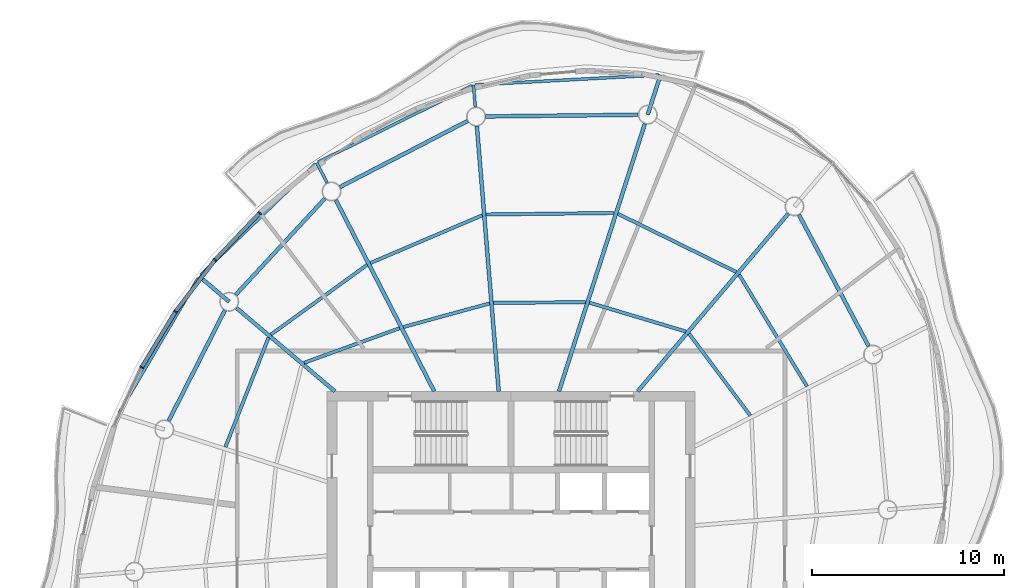
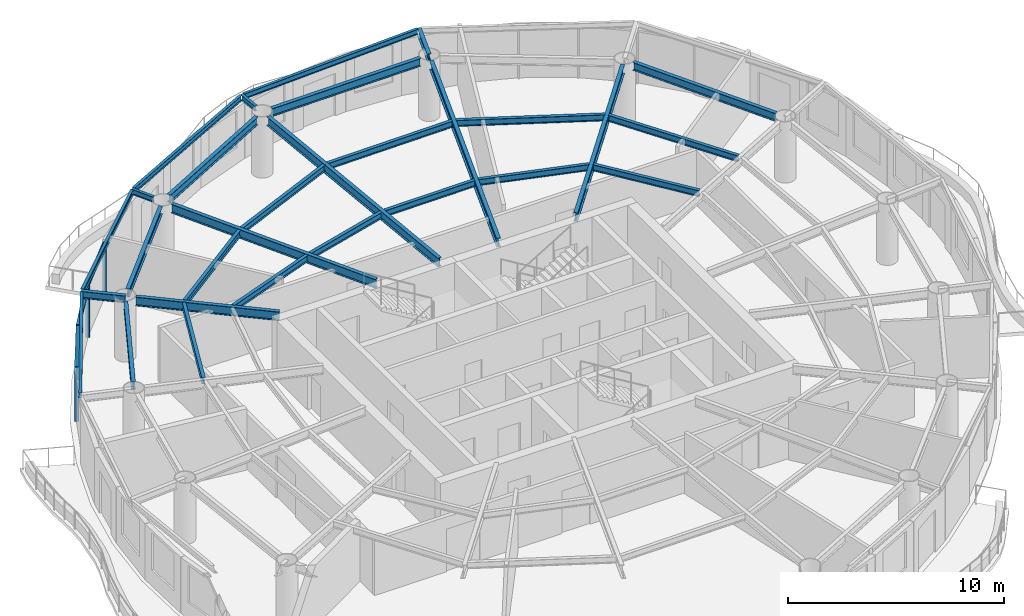
# One storey, part 5 of 14: 29 beams, 7 members, 4 elements without a shape of their own.
"""IFC4 building model written with IfcOpenShell, lengths in metres."""

from ifc_helpers import new_model, si_unit, direction, frame, origin, origin_2d, place, context, subcontext, project, spatial, rectangle, i_section, extrude, material, material_profile, profile_set, type_object, element, aggregate, save


model = new_model("IFC4")

# Units and contexts
model_context = context("Model", 3, precision=1e-05, world=origin(), true_north=direction((0.0, 1.0)))
body_context = subcontext(model_context, "Body", "Model", "MODEL_VIEW")
ifc_project = project(units=[si_unit("LENGTHUNIT", "METRE"), si_unit("AREAUNIT", "SQUARE_METRE"), si_unit("VOLUMEUNIT", "CUBIC_METRE"), si_unit("PLANEANGLEUNIT", "RADIAN"), si_unit("MASSUNIT", "GRAM", prefix="KILO")], contexts=[model_context])

# Site, building, storey
site_placement = place(None, origin())
site = spatial("IfcSite", under=ifc_project, at=site_placement, CompositionType="ELEMENT")
building_placement = place(site_placement, origin())
building = spatial("IfcBuilding", under=site, at=building_placement, Name="Vermilion Reach Broadcast Tower", CompositionType="ELEMENT")
storey_placement = place(building_placement, frame((0.0, 0.0, 257.699951171875)))
storey = spatial("IfcBuildingStorey", under=building, at=storey_placement, Name="L63", CompositionType="ELEMENT", Elevation=257.699951171875)

# Beams
ifc_material_1 = material(Name="Steel S355J2", Category="steel")
ifc_material_profile_1 = material_profile(ifc_material_1, i_section(OverallWidth=0.14990234375, OverallDepth=0.300048828125, WebThickness=0.006591796875, FlangeThickness=0.009033203125, at=origin_2d()), Name="S355J2 HN 300x150x6.5x9")
ifc_profile_set_1 = profile_set([ifc_material_profile_1], Name="Steel S355J2")
beam_type_1 = type_object("IfcBeamType", Name="EB5 HN 300x150x6.5x9", PredefinedType="BEAM", material=ifc_profile_set_1)
beam_1_placement = place(storey_placement, frame((1.69775390625, 24.317138671875, 3.300048828125), z_axis=(-0.998568059474, -0.053496080221, 0.0), x_axis=(0.053496080221, -0.998568059474, 0.0)))
element("IfcBeam", 1, at=beam_1_placement, inside=storey, type_object=beam_type_1, Name="Edge beam EB5-01", PredefinedType="BEAM", context=body_context, shape_type="SweptSolid", body=[
    extrude(i_section(OverallWidth=0.14990234375, OverallDepth=0.300048828125, WebThickness=0.006591796875, FlangeThickness=0.009033203125, at=origin_2d()), origin(), (0.0, 0.0, 1.0), 9.597412109375),
])
beam_2_placement = place(storey_placement, frame((-8.033203125, 23.763671875, 3.300048828125), z_axis=(-0.895619747805, -0.444820488896, 0.0), x_axis=(0.444820488896, -0.895619747805, 0.0)))
element("IfcBeam", 2, at=beam_2_placement, inside=storey, type_object=beam_type_1, Name="Edge beam EB5-02", PredefinedType="BEAM", context=body_context, shape_type="SweptSolid", body=[
    extrude(i_section(OverallWidth=0.14990234375, OverallDepth=0.300048828125, WebThickness=0.006591796875, FlangeThickness=0.009033203125, at=origin_2d()), origin(), (0.0, 0.0, 1.0), 8.983642578125),
])
beam_3_placement = place(storey_placement, frame((-16.20263671875, 19.6796875, 3.300048828125), z_axis=(-0.718957709496, -0.695053819468, 0.0), x_axis=(0.695053819468, -0.718957709496, 0.0)))
element("IfcBeam", 3, at=beam_3_placement, inside=storey, type_object=beam_type_1, Name="Edge beam EB5-03", PredefinedType="BEAM", context=body_context, shape_type="SweptSolid", body=[
    extrude(i_section(OverallWidth=0.14990234375, OverallDepth=0.300048828125, WebThickness=0.006591796875, FlangeThickness=0.009033203125, at=origin_2d()), origin(), (0.0, 0.0, 1.0), 8.3544921875),
])
beam_4_placement = place(storey_placement, frame((-22.3330078125, 13.71533203125, 3.300048828125), z_axis=(-0.505994149247, -0.862536909893, 0.0), x_axis=(0.862536909893, -0.505994149247, 0.0)))
element("IfcBeam", 4, at=beam_4_placement, inside=storey, type_object=beam_type_1, Name="Edge beam EB5-04", PredefinedType="BEAM", context=body_context, shape_type="SweptSolid", body=[
    extrude(i_section(OverallWidth=0.14990234375, OverallDepth=0.300048828125, WebThickness=0.006591796875, FlangeThickness=0.009033203125, at=origin_2d()), origin(), (0.0, 0.0, 1.0), 8.166259765625),
])
ifc_material_2 = material(Name="Steel S355J2", Category="steel")
ifc_material_profile_2 = material_profile(ifc_material_2, i_section(OverallWidth=0.199951171875, OverallDepth=0.5, WebThickness=0.010009765625, FlangeThickness=0.01611328125, at=origin_2d()), Name="S355J2 HN 500x200x10x16")
ifc_profile_set_2 = profile_set([ifc_material_profile_2], Name="Steel S355J2")
beam_type_2 = type_object("IfcBeamType", Name="G5 HN 500x200x10x16", PredefinedType="BEAM", material=ifc_profile_set_2)
beam_5_placement = place(storey_placement, frame((-3.497314453125, 7.800048828125, 3.199951171875), z_axis=(0.305545401295, 0.952177508528, 0.0), x_axis=(-0.952177508528, 0.305545401295, 0.0)))
element("IfcBeam", 5, at=beam_5_placement, inside=storey, type_object=beam_type_2, Name="Girder G5-01", PredefinedType="BEAM", context=body_context, shape_type="SweptSolid", body=[
    extrude(i_section(OverallWidth=0.199951171875, OverallDepth=0.5, WebThickness=0.010009765625, FlangeThickness=0.01611328125, at=origin_2d()), origin(), (0.0, 0.0, 1.0), 14.672607421875),
])
beam_6_placement = place(storey_placement, frame((-6.642578125, 7.800048828125, 3.199951171875), z_axis=(-0.082123744247, 0.996622140347, 0.0), x_axis=(-0.996622140347, -0.082123744247, 0.0)))
element("IfcBeam", 6, at=beam_6_placement, inside=storey, type_object=beam_type_2, Name="Girder G5-02", PredefinedType="BEAM", context=body_context, shape_type="SweptSolid", body=[
    extrude(i_section(OverallWidth=0.199951171875, OverallDepth=0.5, WebThickness=0.010009765625, FlangeThickness=0.01611328125, at=origin_2d()), origin(), (0.0, 0.0, 1.0), 13.89794921875),
])
beam_7_placement = place(storey_placement, frame((-10.010498046875, 7.800048828125, 3.199951171875), z_axis=(-0.457258168112, 0.889334002327, 0.0), x_axis=(-0.889334002327, -0.457258168112, 0.0)))
element("IfcBeam", 7, at=beam_7_placement, inside=storey, type_object=beam_type_2, Name="Girder G5-03", PredefinedType="BEAM", context=body_context, shape_type="SweptSolid", body=[
    extrude(i_section(OverallWidth=0.199951171875, OverallDepth=0.5, WebThickness=0.010009765625, FlangeThickness=0.01611328125, at=origin_2d()), origin(), (0.0, 0.0, 1.0), 11.236328125),
])
beam_8_placement = place(storey_placement, frame((-15.20068359375, 7.800048828125, 3.199951171875), z_axis=(-0.762793125612, 0.646642596431, 0.0), x_axis=(-0.646642596431, -0.762793125612, 0.0)))
element("IfcBeam", 8, at=beam_8_placement, inside=storey, type_object=beam_type_2, Name="Girder G5-04", PredefinedType="BEAM", context=body_context, shape_type="SweptSolid", body=[
    extrude(i_section(OverallWidth=0.199951171875, OverallDepth=0.5, WebThickness=0.010009765625, FlangeThickness=0.01611328125, at=origin_2d()), origin(), (0.0, 0.0, 1.0), 6.732421875),
])
beam_9_placement = place(storey_placement, frame((0.612548828125, 7.800048828125, 3.199951171875), z_axis=(0.646658335602, 0.762779782766, 0.0), x_axis=(-0.762779782766, 0.646658335602, 0.0)))
element("IfcBeam", 9, at=beam_9_placement, inside=storey, type_object=beam_type_2, Name="Girder G5-16", PredefinedType="BEAM", context=body_context, shape_type="SweptSolid", body=[
    extrude(i_section(OverallWidth=0.199951171875, OverallDepth=0.5, WebThickness=0.010009765625, FlangeThickness=0.01611328125, at=origin_2d()), origin(), (0.0, 0.0, 1.0), 12.16064453125),
])
ifc_material_3 = material(Name="Steel S355J2", Category="steel")
ifc_material_profile_3 = material_profile(ifc_material_3, i_section(OverallWidth=0.199951171875, OverallDepth=0.39990234375, WebThickness=0.008056640625, FlangeThickness=0.012939453125, at=origin_2d()), Name="S355J2 HN 400x200x8x13")
ifc_profile_set_3 = profile_set([ifc_material_profile_3], Name="Steel S355J2")
beam_type_3 = type_object("IfcBeamType", Name="GC5 HN 400x200x8x13", PredefinedType="BEAM", material=ifc_profile_set_3)
beam_10_placement = place(storey_placement, frame((1.138427734375, 22.2470703125, 3.25), z_axis=(0.305523352592, 0.952184583482, 0.0), x_axis=(-0.952184583482, 0.305523352592, 0.0)))
element("IfcBeam", 10, at=beam_10_placement, inside=storey, type_object=beam_type_3, Name="Cantilever girder GC5-01", PredefinedType="BEAM", context=body_context, shape_type="SweptSolid", body=[
    extrude(i_section(OverallWidth=0.199951171875, OverallDepth=0.39990234375, WebThickness=0.008056640625, FlangeThickness=0.012939453125, at=origin_2d()), origin(), (0.0, 0.0, 1.0), 2.179931640625),
])
beam_11_placement = place(storey_placement, frame((-20.717529296875, 12.476806640625, 3.25), z_axis=(-0.762708446266, 0.6467424727, 0.0), x_axis=(-0.6467424727, -0.762708446266, 0.0)))
element("IfcBeam", 11, at=beam_11_placement, inside=storey, type_object=beam_type_3, Name="Cantilever girder GC5-04", PredefinedType="BEAM", context=body_context, shape_type="SweptSolid", body=[
    extrude(i_section(OverallWidth=0.199951171875, OverallDepth=0.39990234375, WebThickness=0.008056640625, FlangeThickness=0.012939453125, at=origin_2d()), origin(), (0.0, 0.0, 1.0), 2.050537109375),
])
ifc_material_4 = material(Name="Steel S355J2", Category="steel")
ifc_material_profile_4 = material_profile(ifc_material_4, i_section(OverallWidth=0.14990234375, OverallDepth=0.300048828125, WebThickness=0.006591796875, FlangeThickness=0.009033203125, at=origin_2d()), Name="S355J2 HN 300x150x6.5x9")
ifc_profile_set_4 = profile_set([ifc_material_profile_4], Name="Steel S355J2")
beam_type_4 = type_object("IfcBeamType", Name="GS5 HN 300x150x6.5x9", PredefinedType="BEAM", material=ifc_profile_set_4)
beam_12_placement = place(storey_placement, frame((-7.865966796875, 22.647705078125, 3.300048828125), z_axis=(-0.082171361974, 0.996618215402, 0.0), x_axis=(-0.996618215402, -0.082171361974, 0.0)))
element("IfcBeam", 12, at=beam_12_placement, inside=storey, type_object=beam_type_4, Name="Cantilever stub GS5-02", PredefinedType="BEAM", context=body_context, shape_type="SweptSolid", body=[
    extrude(i_section(OverallWidth=0.14990234375, OverallDepth=0.300048828125, WebThickness=0.006591796875, FlangeThickness=0.009033203125, at=origin_2d()), origin(), (0.0, 0.0, 1.0), 1.15576171875),
])
beam_13_placement = place(storey_placement, frame((-15.60546875, 18.682373046875, 3.300048828125), z_axis=(-0.457259384763, 0.889333376775, 0.0), x_axis=(-0.889333376775, -0.457259384763, 0.0)))
element("IfcBeam", 13, at=beam_13_placement, inside=storey, type_object=beam_type_4, Name="Cantilever stub GS5-03", PredefinedType="BEAM", context=body_context, shape_type="SweptSolid", body=[
    extrude(i_section(OverallWidth=0.14990234375, OverallDepth=0.300048828125, WebThickness=0.006591796875, FlangeThickness=0.009033203125, at=origin_2d()), origin(), (0.0, 0.0, 1.0), 1.1826171875),
])
ifc_material_5 = material(Name="Steel S355J2", Category="steel")
ifc_material_profile_5 = material_profile(ifc_material_5, i_section(OverallWidth=0.199951171875, OverallDepth=0.449951171875, WebThickness=0.009033203125, FlangeThickness=0.013916015625, at=origin_2d()), Name="S355J2 HN 450x200x9x14")
ifc_profile_set_5 = profile_set([ifc_material_profile_5], Name="Steel S355J2")
beam_type_5 = type_object("IfcBeamType", Name="RB5 HN 450x200x9x14", PredefinedType="BEAM", material=ifc_profile_set_5)
beam_14_placement = place(storey_placement, frame((0.638427734375, 22.24169921875, 3.22509765625), z_axis=(-0.999940445231, -0.010913569149, 0.0), x_axis=(0.010913569149, -0.999940445231, 0.0)))
element("IfcBeam", 14, at=beam_14_placement, inside=storey, type_object=beam_type_5, Name="Ring beam RB5-01", PredefinedType="BEAM", context=body_context, shape_type="SweptSolid", body=[
    extrude(i_section(OverallWidth=0.199951171875, OverallDepth=0.449951171875, WebThickness=0.009033203125, FlangeThickness=0.013916015625, at=origin_2d()), origin(), (0.0, 0.0, 1.0), 7.9638671875),
])
beam_15_placement = place(storey_placement, frame((-8.268798828125, 21.91943359375, 3.22509765625), z_axis=(-0.887960248279, -0.459920207729, 0.0), x_axis=(0.459920207729, -0.887960248279, 0.0)))
element("IfcBeam", 15, at=beam_15_placement, inside=storey, type_object=beam_type_5, Name="Ring beam RB5-02", PredefinedType="BEAM", context=body_context, shape_type="SweptSolid", body=[
    extrude(i_section(OverallWidth=0.199951171875, OverallDepth=0.449951171875, WebThickness=0.009033203125, FlangeThickness=0.013916015625, at=origin_2d()), origin(), (0.0, 0.0, 1.0), 7.5048828125),
])
beam_16_placement = place(storey_placement, frame((-15.716796875, 17.87109375, 3.22509765625), z_axis=(-0.679837550075, -0.733362738014, 0.0), x_axis=(0.733362738014, -0.679837550075, 0.0)))
element("IfcBeam", 16, at=beam_16_placement, inside=storey, type_object=beam_type_5, Name="Ring beam RB5-03", PredefinedType="BEAM", context=body_context, shape_type="SweptSolid", body=[
    extrude(i_section(OverallWidth=0.199951171875, OverallDepth=0.449951171875, WebThickness=0.009033203125, FlangeThickness=0.013916015625, at=origin_2d()), origin(), (0.0, 0.0, 1.0), 6.85546875),
])
beam_17_placement = place(storey_placement, frame((-20.944091796875, 12.03125, 3.22509765625), z_axis=(-0.453052302855, -0.891483937532, 0.0), x_axis=(0.891483937532, -0.453052302855, 0.0)))
element("IfcBeam", 17, at=beam_17_placement, inside=storey, type_object=beam_type_5, Name="Ring beam RB5-04", PredefinedType="BEAM", context=body_context, shape_type="SweptSolid", body=[
    extrude(i_section(OverallWidth=0.199951171875, OverallDepth=0.449951171875, WebThickness=0.009033203125, FlangeThickness=0.013916015625, at=origin_2d()), origin(), (0.0, 0.0, 1.0), 6.47900390625),
])
beam_18_placement = place(storey_placement, frame((12.671142578125, 10.161865234375, 3.22509765625), z_axis=(-0.468767917375, 0.883321368269, 0.0), x_axis=(-0.883321368269, -0.468767917375, 0.0)))
element("IfcBeam", 18, at=beam_18_placement, inside=storey, type_object=beam_type_5, Name="Ring beam RB5-15", PredefinedType="BEAM", context=body_context, shape_type="SweptSolid", body=[
    extrude(i_section(OverallWidth=0.199951171875, OverallDepth=0.449951171875, WebThickness=0.009033203125, FlangeThickness=0.013916015625, at=origin_2d()), origin(), (0.0, 0.0, 1.0), 7.759033203125),
])
ifc_material_6 = material(Name="Steel S355J2", Category="steel")
ifc_material_profile_6 = material_profile(ifc_material_6, i_section(OverallWidth=0.175048828125, OverallDepth=0.35009765625, WebThickness=0.007080078125, FlangeThickness=0.010986328125, at=origin_2d()), Name="S355J2 HN 350x175x7x11")
ifc_profile_set_6 = profile_set([ifc_material_profile_6], Name="Steel S355J2")
beam_type_6 = type_object("IfcBeamType", Name="SB5 HN 350x175x7x11", PredefinedType="BEAM", material=ifc_profile_set_6)
beam_19_placement = place(storey_placement, frame((-2.108154296875, 12.4560546875, 3.275146484375), z_axis=(-0.999968312294, -0.007960804474, 0.0), x_axis=(0.007960804474, -0.999968312294, 0.0)))
element("IfcBeam", 19, at=beam_19_placement, inside=storey, type_object=beam_type_6, Name="Secondary beam SB5-01-1", PredefinedType="BEAM", context=body_context, shape_type="SweptSolid", body=[
    extrude(i_section(OverallWidth=0.175048828125, OverallDepth=0.35009765625, WebThickness=0.007080078125, FlangeThickness=0.010986328125, at=origin_2d()), origin(), (0.0, 0.0, 1.0), 4.81494140625),
])
beam_20_placement = place(storey_placement, frame((-0.614013671875, 17.11279296875, 3.275146484375), z_axis=(-0.999932654133, -0.011605481368, 0.0), x_axis=(0.011605481368, -0.999932654133, 0.0)))
element("IfcBeam", 20, at=beam_20_placement, inside=storey, type_object=beam_type_6, Name="Secondary beam SB5-01-2", PredefinedType="BEAM", context=body_context, shape_type="SweptSolid", body=[
    extrude(i_section(OverallWidth=0.175048828125, OverallDepth=0.35009765625, WebThickness=0.007080078125, FlangeThickness=0.010986328125, at=origin_2d()), origin(), (0.0, 0.0, 1.0), 6.689697265625),
])
beam_21_placement = place(storey_placement, frame((-7.12109375, 12.39013671875, 3.275146484375), z_axis=(-0.964547496851, -0.263909314573, 0.0), x_axis=(0.263909314573, -0.964547496851, 0.0)))
element("IfcBeam", 21, at=beam_21_placement, inside=storey, type_object=beam_type_6, Name="Secondary beam SB5-02-1", PredefinedType="BEAM", context=body_context, shape_type="SweptSolid", body=[
    extrude(i_section(OverallWidth=0.175048828125, OverallDepth=0.35009765625, WebThickness=0.007080078125, FlangeThickness=0.010986328125, at=origin_2d()), origin(), (0.0, 0.0, 1.0), 4.6689453125),
])
beam_22_placement = place(storey_placement, frame((-7.50048828125, 16.99267578125, 3.275146484375), z_axis=(-0.919880986172, -0.392197617637, 0.0), x_axis=(0.392197617637, -0.919880986172, 0.0)))
element("IfcBeam", 22, at=beam_22_placement, inside=storey, type_object=beam_type_6, Name="Secondary beam SB5-02-2", PredefinedType="BEAM", context=body_context, shape_type="SweptSolid", body=[
    extrude(i_section(OverallWidth=0.175048828125, OverallDepth=0.35009765625, WebThickness=0.007080078125, FlangeThickness=0.010986328125, at=origin_2d()), origin(), (0.0, 0.0, 1.0), 6.351806640625),
])
beam_23_placement = place(storey_placement, frame((-11.81787109375, 11.0966796875, 3.275146484375), z_axis=(-0.940220108875, -0.340567389613, 0.0), x_axis=(0.340567389613, -0.940220108875, 0.0)))
element("IfcBeam", 23, at=beam_23_placement, inside=storey, type_object=beam_type_6, Name="Secondary beam SB5-03-1", PredefinedType="BEAM", context=body_context, shape_type="SweptSolid", body=[
    extrude(i_section(OverallWidth=0.175048828125, OverallDepth=0.35009765625, WebThickness=0.007080078125, FlangeThickness=0.010986328125, at=origin_2d()), origin(), (0.0, 0.0, 1.0), 5.303466796875),
])
beam_24_placement = place(storey_placement, frame((-13.517578125, 14.402587890625, 3.275146484375), z_axis=(-0.809771251518, -0.586745703192, 0.0), x_axis=(0.586745703192, -0.809771251518, 0.0)))
element("IfcBeam", 24, at=beam_24_placement, inside=storey, type_object=beam_type_6, Name="Secondary beam SB5-03-2", PredefinedType="BEAM", context=body_context, shape_type="SweptSolid", body=[
    extrude(i_section(OverallWidth=0.175048828125, OverallDepth=0.35009765625, WebThickness=0.007080078125, FlangeThickness=0.010986328125, at=origin_2d()), origin(), (0.0, 0.0, 1.0), 6.20361328125),
])
beam_25_placement = place(storey_placement, frame((-18.6630859375, 10.604248046875, 3.275146484375), z_axis=(-0.366931189603, -0.930248086317, 0.0), x_axis=(0.930248086317, -0.366931189603, 0.0)))
element("IfcBeam", 25, at=beam_25_placement, inside=storey, type_object=beam_type_6, Name="Secondary beam SB5-04-2", PredefinedType="BEAM", context=body_context, shape_type="SweptSolid", body=[
    extrude(i_section(OverallWidth=0.175048828125, OverallDepth=0.35009765625, WebThickness=0.007080078125, FlangeThickness=0.010986328125, at=origin_2d()), origin(), (0.0, 0.0, 1.0), 6.141357421875),
])
beam_26_placement = place(storey_placement, frame((6.492919921875, 6.53564453125, 3.275146484375), z_axis=(-0.599055582645, 0.800707442767, 0.0), x_axis=(-0.800707442767, -0.599055582645, 0.0)))
element("IfcBeam", 26, at=beam_26_placement, inside=storey, type_object=beam_type_6, Name="Secondary beam SB5-15-1", PredefinedType="BEAM", context=body_context, shape_type="SweptSolid", body=[
    extrude(i_section(OverallWidth=0.175048828125, OverallDepth=0.35009765625, WebThickness=0.007080078125, FlangeThickness=0.010986328125, at=origin_2d()), origin(), (0.0, 0.0, 1.0), 5.337890625),
])
beam_27_placement = place(storey_placement, frame((9.455078125, 8.058837890625, 3.275146484375), z_axis=(-0.519272962556, 0.854608442714, 0.0), x_axis=(-0.854608442714, -0.519272962556, 0.0)))
element("IfcBeam", 27, at=beam_27_placement, inside=storey, type_object=beam_type_6, Name="Secondary beam SB5-15-2", PredefinedType="BEAM", context=body_context, shape_type="SweptSolid", body=[
    extrude(i_section(OverallWidth=0.175048828125, OverallDepth=0.35009765625, WebThickness=0.007080078125, FlangeThickness=0.010986328125, at=origin_2d()), origin(), (0.0, 0.0, 1.0), 6.82763671875),
])
beam_28_placement = place(storey_placement, frame((3.129150390625, 10.92333984375, 3.275146484375), z_axis=(-0.958124906971, 0.286350593925, 0.0), x_axis=(-0.286350593925, -0.958124906971, 0.0)))
element("IfcBeam", 28, at=beam_28_placement, inside=storey, type_object=beam_type_6, Name="Secondary beam SB5-16-1", PredefinedType="BEAM", context=body_context, shape_type="SweptSolid", body=[
    extrude(i_section(OverallWidth=0.175048828125, OverallDepth=0.35009765625, WebThickness=0.007080078125, FlangeThickness=0.010986328125, at=origin_2d()), origin(), (0.0, 0.0, 1.0), 5.25634765625),
])
beam_29_placement = place(storey_placement, frame((5.762451171875, 14.029541015625, 3.275146484375), z_axis=(-0.897335928087, 0.441348198325, 0.0), x_axis=(-0.441348198325, -0.897335928087, 0.0)))
element("IfcBeam", 29, at=beam_29_placement, inside=storey, type_object=beam_type_6, Name="Secondary beam SB5-16-2", PredefinedType="BEAM", context=body_context, shape_type="SweptSolid", body=[
    extrude(i_section(OverallWidth=0.175048828125, OverallDepth=0.35009765625, WebThickness=0.007080078125, FlangeThickness=0.010986328125, at=origin_2d()), origin(), (0.0, 0.0, 1.0), 6.887451171875),
])

# Curtain wall, member
ifc_material_7 = material(Name="Low-e laminated clear glass in aluminium frame", Category="aluminium")
curtain_wall_type = type_object("IfcCurtainWallType", Name="Slot curtain wall", PredefinedType="NOTDEFINED", material=ifc_material_7)
placement = place(storey_placement, origin())
curtain_wall_1 = element("IfcCurtainWall", 30, at=placement, inside=storey, type_object=curtain_wall_type, Name="Slot curtain wall L63 10", PredefinedType="NOTDEFINED")
ifc_material_8 = material(Name="Anodised aluminium", Category="aluminium")
ifc_material_profile_7 = material_profile(ifc_material_8, rectangle(XDim=0.199951171875, YDim=0.080078125, at=origin_2d()), Name="Slot mullion 80 x 200")
ifc_profile_set_7 = profile_set([ifc_material_profile_7], Name="Anodised aluminium")
member_type_1 = type_object("IfcMemberType", Name="Slot mullion 80 x 200", PredefinedType="MULLION", material=ifc_profile_set_7)
member_1_placement = place(storey_placement, frame((-19.1279296875, 17.11279296875, 0.0), z_axis=(0.0, 0.0, 1.0), x_axis=(0.68555171084, -0.728023936258, 0.0)))
member_1 = element("IfcMember", 31, at=member_1_placement, type_object=member_type_1, Name="Slot mullion L63 10", PredefinedType="MULLION", context=body_context, shape_type="SweptSolid", body=[
    extrude(rectangle(XDim=0.199951171875, YDim=0.080078125, at=origin_2d()), origin(), (0.0, 0.0, 1.0), 3.050048828125),
])

curtain_wall_2 = element("IfcCurtainWall", 32, at=placement, inside=storey, type_object=curtain_wall_type, Name="Slot curtain wall L63 11", PredefinedType="NOTDEFINED")
member_2_placement = place(storey_placement, frame((-21.458251953125, 14.66357421875, 0.0), z_axis=(0.0, 0.0, 1.0), x_axis=(0.760565490297, -0.649261222444, 0.0)))
member_2 = element("IfcMember", 33, at=member_2_placement, type_object=member_type_1, Name="Slot mullion L63 11", PredefinedType="MULLION", context=body_context, shape_type="SweptSolid", body=[
    extrude(rectangle(XDim=0.199951171875, YDim=0.080078125, at=origin_2d()), origin(), (0.0, 0.0, 1.0), 3.050048828125),
])

curtain_wall_3 = element("IfcCurtainWall", 34, at=placement, inside=storey, type_object=curtain_wall_type, Name="Slot curtain wall L63 12", PredefinedType="NOTDEFINED")
member_3_placement = place(storey_placement, frame((-23.523193359375, 11.96240234375, 0.0), z_axis=(0.0, 0.0, 1.0), x_axis=(0.825901575016, -0.563814320841, 0.0)))
member_3 = element("IfcMember", 35, at=member_3_placement, type_object=member_type_1, Name="Slot mullion L63 12", PredefinedType="MULLION", context=body_context, shape_type="SweptSolid", body=[
    extrude(rectangle(XDim=0.199951171875, YDim=0.080078125, at=origin_2d()), origin(), (0.0, 0.0, 1.0), 3.050048828125),
])

curtain_wall_4 = element("IfcCurtainWall", 36, at=placement, inside=storey, type_object=curtain_wall_type, Name="Slot curtain wall L63 13", PredefinedType="NOTDEFINED")
member_4_placement = place(storey_placement, frame((-25.28662109375, 9.055419921875, 0.0), z_axis=(0.0, 0.0, 1.0), x_axis=(0.881681975743, -0.471844141269, 0.0)))
member_4 = element("IfcMember", 37, at=member_4_placement, type_object=member_type_1, Name="Slot mullion L63 13", PredefinedType="MULLION", context=body_context, shape_type="SweptSolid", body=[
    extrude(rectangle(XDim=0.199951171875, YDim=0.080078125, at=origin_2d()), origin(), (0.0, 0.0, 1.0), 3.050048828125),
])
aggregate(curtain_wall_4, [member_4])

# Member
ifc_material_9 = material(Name="Anodised aluminium", Category="aluminium")
ifc_material_profile_8 = material_profile(ifc_material_9, rectangle(XDim=0.199951171875, YDim=0.10009765625, at=origin_2d()), Name="Slot transom 200 x 100")
ifc_profile_set_8 = profile_set([ifc_material_profile_8], Name="Anodised aluminium")
member_type_2 = type_object("IfcMemberType", Name="Slot transom 200 x 100", PredefinedType="USERDEFINED", material=ifc_profile_set_8)
member_5_placement = place(storey_placement, frame((-19.155517578125, 17.083740234375, 3.0), z_axis=(-0.6893207854, -0.724456247689, 0.0), x_axis=(0.724456247689, -0.6893207854, 0.0)))
member_5 = element("IfcMember", 38, at=member_5_placement, type_object=member_type_2, Name="Slot transom L63 10.1", ObjectType="TRANSOM", PredefinedType="USERDEFINED", context=body_context, shape_type="SweptSolid", body=[
    extrude(rectangle(XDim=0.199951171875, YDim=0.10009765625, at=origin_2d()), origin(), (0.0, 0.0, 1.0), 3.300537109375),
])

aggregate(curtain_wall_1, [member_1, member_5])

member_6_placement = place(storey_placement, frame((-21.482421875, 14.6318359375, 3.0), z_axis=(-0.607316357201, -0.794460094829, 0.0), x_axis=(0.794460094829, -0.607316357201, 0.0)))
member_6 = element("IfcMember", 39, at=member_6_placement, type_object=member_type_2, Name="Slot transom L63 11.1", ObjectType="TRANSOM", PredefinedType="USERDEFINED", context=body_context, shape_type="SweptSolid", body=[
    extrude(rectangle(XDim=0.199951171875, YDim=0.10009765625, at=origin_2d()), origin(), (0.0, 0.0, 1.0), 3.320068359375),
])

aggregate(curtain_wall_2, [member_2, member_6])

member_7_placement = place(storey_placement, frame((-23.5439453125, 11.92822265625, 3.0), z_axis=(-0.51869603844, -0.854958723978, 0.0), x_axis=(0.854958723978, -0.51869603844, 0.0)))
member_7 = element("IfcMember", 40, at=member_7_placement, type_object=member_type_2, Name="Slot transom L63 12.1", ObjectType="TRANSOM", PredefinedType="USERDEFINED", context=body_context, shape_type="SweptSolid", body=[
    extrude(rectangle(XDim=0.199951171875, YDim=0.10009765625, at=origin_2d()), origin(), (0.0, 0.0, 1.0), 3.320068359375),
])

aggregate(curtain_wall_3, [member_3, member_7])

save(model, "model.ifc")
